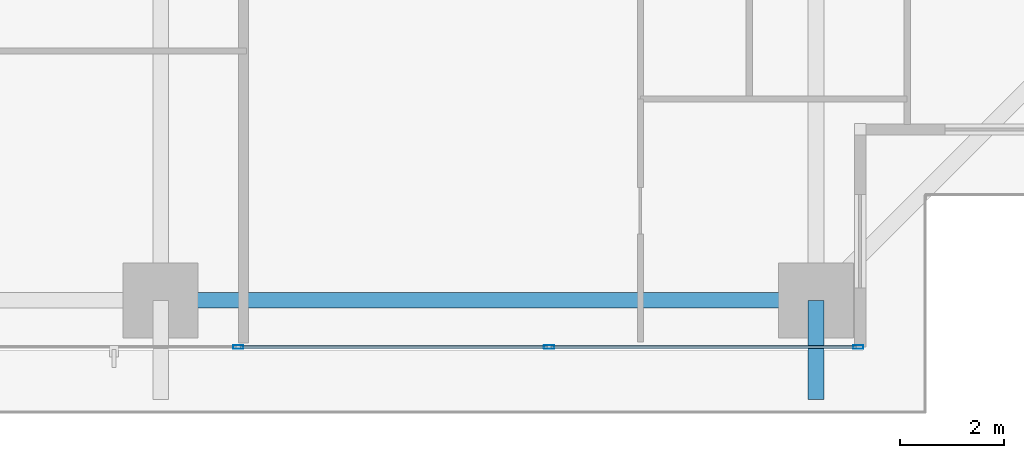
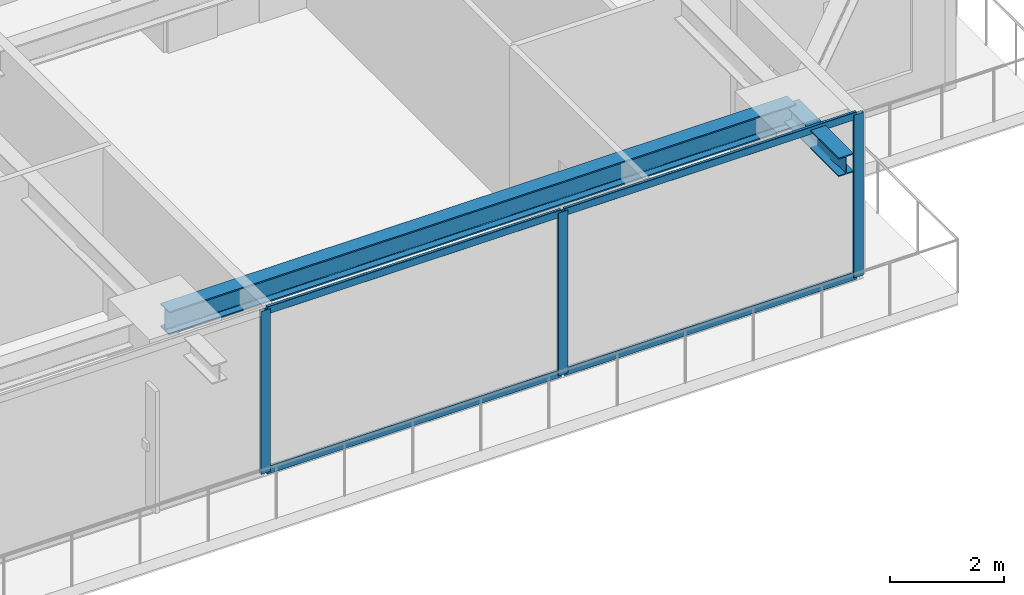
# One storey, part 10 of 38: 7 members, 2 beams, 1 element without a shape of its own.
"""IFC4 building model written with IfcOpenShell, lengths in metres."""

from ifc_helpers import new_model, si_unit, direction, frame, origin, origin_2d, place, context, subcontext, project, spatial, hollow_rectangle, i_section, extrude, source, transform, mapped, material, layer, layer_set, material_profile, profile_set, type_object, element, aggregate, save


model = new_model("IFC4")

# Units and contexts
model_context = context("Model", 3, precision=1e-05, world=origin(), true_north=direction((0.0, 1.0)))
body_context = subcontext(model_context, "Body", "Model", "MODEL_VIEW")
ifc_project = project(units=[si_unit("LENGTHUNIT", "METRE"), si_unit("AREAUNIT", "SQUARE_METRE"), si_unit("VOLUMEUNIT", "CUBIC_METRE"), si_unit("PLANEANGLEUNIT", "RADIAN"), si_unit("MASSUNIT", "GRAM", prefix="KILO")], contexts=[model_context])

# Site, building, storey
site_placement = place(None, origin())
site = spatial("IfcSite", under=ifc_project, at=site_placement, CompositionType="ELEMENT")
building_placement = place(site_placement, origin())
building = spatial("IfcBuilding", under=site, at=building_placement, Name="Serunith Strait Residences", CompositionType="ELEMENT")
storey_placement = place(building_placement, frame((0.0, 0.0, 30.449951171875)))
storey = spatial("IfcBuildingStorey", under=building, at=storey_placement, Name="L06", CompositionType="ELEMENT", Elevation=30.449951171875)

# Beams
ifc_material_1 = material(Name="Steel S355J2", Category="steel")
ifc_material_profile_1 = material_profile(ifc_material_1, i_section(OverallWidth=0.300048828125, OverallDepth=0.5, WebThickness=0.014404296875, FlangeThickness=0.028076171875, FilletRadius=0.027099609375, at=origin_2d()), Name="HEB 500")
ifc_profile_set_1 = profile_set([ifc_material_profile_1], Name="Steel S355J2")
beam_type_1 = type_object("IfcBeamType", Name="BM-HEB500", PredefinedType="BEAM", material=ifc_profile_set_1)
shared_shape_1 = source(origin(), body_context, "Body", "SweptSolid", [
    extrude(i_section(OverallWidth=0.300048828125, OverallDepth=0.5, WebThickness=0.014404296875, FlangeThickness=0.028076171875, FilletRadius=0.027099609375, at=origin_2d()), origin(), (0.0, 0.0, 1.0), 12.650146484375),
])
beam_1_placement = place(storey_placement, frame((36.89990234375, 1.10009765625, 3.237060546875), z_axis=(1.0, 0.0, 0.0), x_axis=(0.0, 1.0, 0.0)))
element("IfcBeam", 1, at=beam_1_placement, inside=storey, type_object=beam_type_1, Name="L06 Perimeter Ring Beam 03", PredefinedType="BEAM", context=body_context, shape_type="MappedRepresentation", body=[
    mapped(shared_shape_1, transform((0.0, 0.0, 0.0), scale=1.0)),
])
ifc_material_profile_2 = material_profile(ifc_material_1, i_section(OverallWidth=0.300048828125, OverallDepth=0.39990234375, WebThickness=0.013427734375, FlangeThickness=0.02392578125, FilletRadius=0.027099609375, at=origin_2d()), Name="HEB 400")
ifc_profile_set_2 = profile_set([ifc_material_profile_2], Name="Steel S355J2")
beam_type_2 = type_object("IfcBeamType", Name="BM-HEB400", PredefinedType="BEAM", material=ifc_profile_set_2)
shared_shape_2 = source(origin(), body_context, "Body", "SweptSolid", [
    extrude(i_section(OverallWidth=0.300048828125, OverallDepth=0.39990234375, WebThickness=0.013427734375, FlangeThickness=0.02392578125, FilletRadius=0.027099609375, at=origin_2d()), origin(), (0.0, 0.0, 1.0), 1.91015625),
])
beam_2_placement = place(storey_placement, frame((49.550048828125, 1.10009765625, 3.257080078125), z_axis=(0.0, -1.0, 0.0), x_axis=(1.0, 0.0, 0.0)))
element("IfcBeam", 2, at=beam_2_placement, inside=storey, type_object=beam_type_2, Name="L07 Cantilevered Balcony Rib TC-S4", PredefinedType="BEAM", context=body_context, shape_type="MappedRepresentation", body=[
    mapped(shared_shape_2, transform((0.0, 0.0, 0.0), scale=1.0)),
])

# Curtain wall, members
ifc_material_2 = material(Name="Pale-Champagne Anodised Aluminium", Category="aluminium")
ifc_layer = layer(ifc_material_2, 0.199951171875, Name="Pale-Champagne Anodised Aluminium")
ifc_layer_set = layer_set([ifc_layer], Name="Pale-Champagne Anodised Aluminium")
curtain_wall_type = type_object("IfcCurtainWallType", Name="CW-SYS1", PredefinedType="NOTDEFINED", material=ifc_layer_set)
curtain_wall_placement = place(storey_placement, origin())
curtain_wall = element("IfcCurtainWall", 3, at=curtain_wall_placement, inside=storey, type_object=curtain_wall_type, Name="L06 S Unitised Fritted Curtain Wall", PredefinedType="NOTDEFINED")
ifc_material_profile_3 = material_profile(ifc_material_2, hollow_rectangle(XDim=0.070068359375, YDim=0.199951171875, WallThickness=0.00390625, InnerFilletRadius=0.006103515625, OuterFilletRadius=0.010009765625, at=origin_2d()), Name="ALU 200x70x4")
ifc_profile_set_3 = profile_set([ifc_material_profile_3], Name="Pale-Champagne Anodised Aluminium")
member_type_1 = type_object("IfcMemberType", Name="CW-SYS1-MULL", PredefinedType="MULLION", material=ifc_profile_set_3)
shared_shape_3 = source(origin(), body_context, "Body", "SweptSolid", [
    extrude(hollow_rectangle(XDim=0.070068359375, YDim=0.199951171875, WallThickness=0.00390625, InnerFilletRadius=0.006103515625, OuterFilletRadius=0.010009765625, at=origin_2d()), origin(), (0.0, 0.0, 1.0), 3.47509765625),
])
member_1_placement = place(storey_placement, frame((38.39990234375, 0.199951171875, 0.0), z_axis=(0.0, 0.0, 1.0), x_axis=(0.0, 1.0, 0.0)))
member_1 = element("IfcMember", 4, at=member_1_placement, type_object=member_type_1, Name="CW-1 mullion 5", PredefinedType="MULLION", context=body_context, shape_type="MappedRepresentation", body=[
    mapped(shared_shape_3, transform((0.0, 0.0, 0.0), scale=1.0)),
])
member_2_placement = place(storey_placement, frame((44.39990234375, 0.199951171875, 0.0), z_axis=(0.0, 0.0, 1.0), x_axis=(0.0, 1.0, 0.0)))
member_2 = element("IfcMember", 5, at=member_2_placement, type_object=member_type_1, Name="CW-1 mullion 6", PredefinedType="MULLION", context=body_context, shape_type="MappedRepresentation", body=[
    mapped(shared_shape_3, transform((0.0, 0.0, 0.0), scale=1.0)),
])
member_3_placement = place(storey_placement, frame((50.364990234375, 0.199951171875, 0.0), z_axis=(0.0, 0.0, 1.0), x_axis=(0.0, 1.0, 0.0)))
member_3 = element("IfcMember", 6, at=member_3_placement, type_object=member_type_1, Name="CW-1 mullion 7", PredefinedType="MULLION", context=body_context, shape_type="MappedRepresentation", body=[
    mapped(shared_shape_3, transform((0.0, 0.0, 0.0), scale=1.0)),
])
ifc_material_profile_4 = material_profile(ifc_material_2, hollow_rectangle(XDim=0.06005859375, YDim=0.159912109375, WallThickness=0.00341796875, InnerFilletRadius=0.00537109375, OuterFilletRadius=0.0087890625, at=origin_2d()), Name="ALU 160x60x3.5")
ifc_profile_set_4 = profile_set([ifc_material_profile_4], Name="Pale-Champagne Anodised Aluminium")
member_type_2 = type_object("IfcMemberType", Name="CW-SYS1-TRAN", PredefinedType="USERDEFINED", material=ifc_profile_set_4)
shared_shape_4 = source(origin(), body_context, "Body", "SweptSolid", [
    extrude(hollow_rectangle(XDim=0.06005859375, YDim=0.159912109375, WallThickness=0.00341796875, InnerFilletRadius=0.00537109375, OuterFilletRadius=0.0087890625, at=origin_2d()), origin(), (0.0, 0.0, 1.0), 5.89501953125),
])
member_4_placement = place(storey_placement, frame((44.43505859375, 0.199951171875, 0.030029296875), z_axis=(1.0, 0.0, 0.0), x_axis=(0.0, 1.0, 0.0)))
member_4 = element("IfcMember", 7, at=member_4_placement, type_object=member_type_2, Name="CW-1 transom 6.1", ObjectType="TRANSOM", PredefinedType="USERDEFINED", context=body_context, shape_type="MappedRepresentation", body=[
    mapped(shared_shape_4, transform((0.0, 0.0, 0.0), scale=1.0)),
])
member_5_placement = place(storey_placement, frame((44.43505859375, 0.199951171875, 3.445068359375), z_axis=(1.0, 0.0, 0.0), x_axis=(0.0, 1.0, 0.0)))
member_5 = element("IfcMember", 8, at=member_5_placement, type_object=member_type_2, Name="CW-1 transom 6.2", ObjectType="TRANSOM", PredefinedType="USERDEFINED", context=body_context, shape_type="MappedRepresentation", body=[
    mapped(shared_shape_4, transform((0.0, 0.0, 0.0), scale=1.0)),
])
shared_shape_5 = source(origin(), body_context, "Body", "SweptSolid", [
    extrude(hollow_rectangle(XDim=0.06005859375, YDim=0.159912109375, WallThickness=0.00341796875, InnerFilletRadius=0.00537109375, OuterFilletRadius=0.0087890625, at=origin_2d()), origin(), (0.0, 0.0, 1.0), 5.929931640625),
])
member_6_placement = place(storey_placement, frame((38.43505859375, 0.199951171875, 0.030029296875), z_axis=(1.0, 0.0, 0.0), x_axis=(0.0, 1.0, 0.0)))
member_6 = element("IfcMember", 9, at=member_6_placement, type_object=member_type_2, Name="CW-1 transom 5.1", ObjectType="TRANSOM", PredefinedType="USERDEFINED", context=body_context, shape_type="MappedRepresentation", body=[
    mapped(shared_shape_5, transform((0.0, 0.0, 0.0), scale=1.0)),
])
member_7_placement = place(storey_placement, frame((38.43505859375, 0.199951171875, 3.445068359375), z_axis=(1.0, 0.0, 0.0), x_axis=(0.0, 1.0, 0.0)))
member_7 = element("IfcMember", 10, at=member_7_placement, type_object=member_type_2, Name="CW-1 transom 5.2", ObjectType="TRANSOM", PredefinedType="USERDEFINED", context=body_context, shape_type="MappedRepresentation", body=[
    mapped(shared_shape_5, transform((0.0, 0.0, 0.0), scale=1.0)),
])
aggregate(curtain_wall, [member_1, member_2, member_3, member_6, member_7, member_4, member_5])

save(model, "model.ifc")
